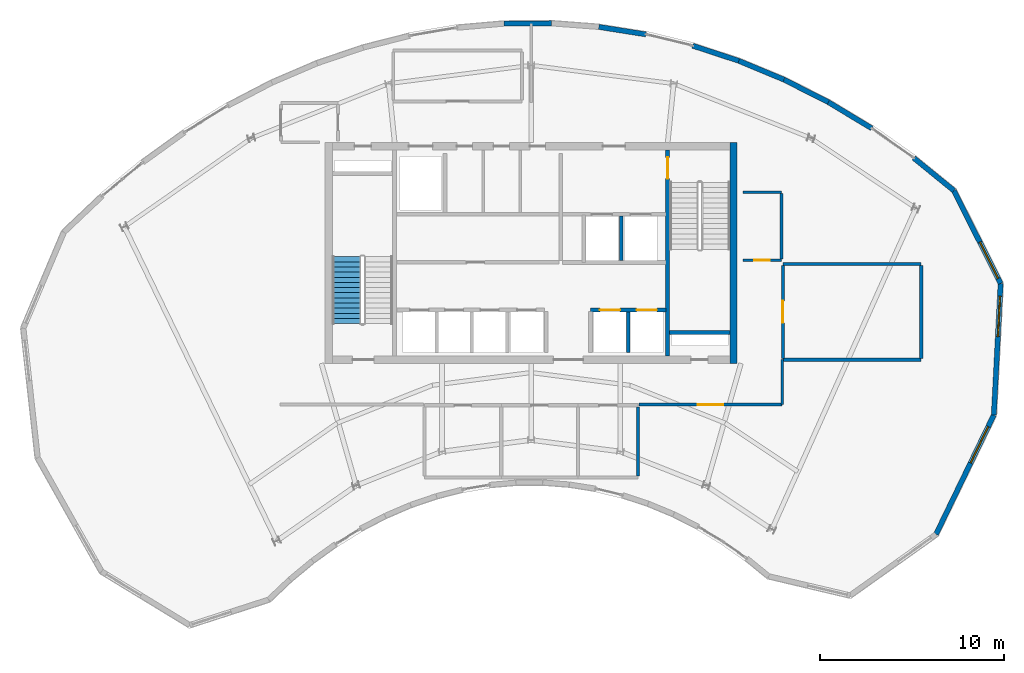
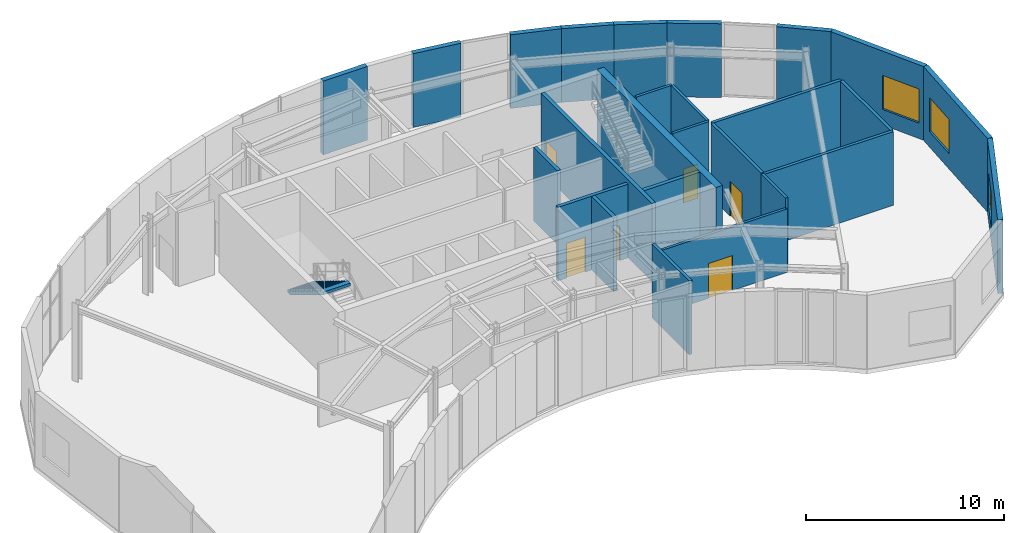
# One storey, part 8 of 10: 26 walls, 6 doors, 3 windows, 1 stair flight, 9 openings, 1 element without a shape of its own.
"""IFC4 building model written with IfcOpenShell, lengths in metres."""

from ifc_helpers import new_model, si_unit, direction, frame, frame_2d, origin, place, context, subcontext, project, spatial, polyline, rectangle, outline, extrude, source, transform, mapped, material, layer, layer_set, type_object, type_shapes, element, fill, aggregate, save


model = new_model("IFC4")

# Units and contexts
model_context = context("Model", 3, precision=1e-05, world=origin(), true_north=direction((0.0, 1.0)))
body_context = subcontext(model_context, "Body", "Model", "MODEL_VIEW")
ifc_project = project(units=[si_unit("LENGTHUNIT", "METRE"), si_unit("AREAUNIT", "SQUARE_METRE"), si_unit("VOLUMEUNIT", "CUBIC_METRE"), si_unit("PLANEANGLEUNIT", "RADIAN"), si_unit("MASSUNIT", "GRAM", prefix="KILO")], contexts=[model_context])

# Site, building, storey
site_placement = place(None, origin())
site = spatial("IfcSite", under=ifc_project, at=site_placement, CompositionType="ELEMENT")
building_placement = place(site_placement, origin())
building = spatial("IfcBuilding", under=site, at=building_placement, Name="Breltana Convention Tower", CompositionType="ELEMENT")
storey_placement = place(building_placement, frame((0.0, 0.0, 303.0)))
storey = spatial("IfcBuildingStorey", under=building, at=storey_placement, Name="L74", CompositionType="ELEMENT", Elevation=303.0)

# Walls
ifc_material_1 = material(Name="Concrete C50/60", Category="concrete")
ifc_layer_1 = layer(ifc_material_1, 0.39990234375, Name="Concrete C50/60")
ifc_layer_set_1 = layer_set([ifc_layer_1], Name="Concrete C50/60")
wall_type_1 = type_object("IfcWallType", Name="SW-CORE-400", PredefinedType="SHEAR", material=ifc_layer_set_1)
shared_shape_1 = source(origin(), body_context, "Body", "SweptSolid", [
    extrude(rectangle(XDim=3.27001953125, YDim=0.219970703125, at=frame_2d((1.635009765625, 0.0))), origin(), (0.0, 0.0, 1.0), 4.800048828125),
])
wall_1_placement = place(storey_placement, frame((55.530029296875, 61.889892578125, 0.0), z_axis=(0.0, 0.0, 1.0), x_axis=(1.0, 0.0, 0.0)))
element("IfcWall", 1, at=wall_1_placement, inside=storey, type_object=wall_type_1, Name="L74 ST-2 Stairwell South Bearing Wall", PredefinedType="SHEAR", context=body_context, shape_type="MappedRepresentation", body=[
    mapped(shared_shape_1, transform((0.0, 0.0, 0.0), scale=1.0)),
])
shared_shape_2 = source(origin(), body_context, "Body", "SweptSolid", [
    extrude(rectangle(XDim=12.0, YDim=0.39990234375, at=frame_2d((6.0, 0.0))), origin(), (0.0, 0.0, 1.0), 4.800048828125),
])
wall_2_placement = place(storey_placement, frame((59.0, 60.199951171875, 0.0), z_axis=(0.0, 0.0, 1.0), x_axis=(0.0, 1.0, 0.0)))
element("IfcWall", 2, at=wall_2_placement, inside=storey, type_object=wall_type_1, Name="L74 East Core Shear Wall", PredefinedType="SHEAR", context=body_context, shape_type="MappedRepresentation", body=[
    mapped(shared_shape_2, transform((0.0, 0.0, 0.0), scale=1.0)),
])

# Wall, opening, door
shared_shape_3 = source(origin(), body_context, "Body", "SweptSolid", [
    extrude(rectangle(XDim=11.199951171875, YDim=0.219970703125, at=frame_2d((5.60009765625, 0.0))), origin(), (0.0, 0.0, 1.0), 4.800048828125),
])
wall_3_placement = place(storey_placement, frame((55.419921875, 60.60009765625, 0.0), z_axis=(0.0, 0.0, 1.0), x_axis=(0.0, 1.0, 0.0)))
wall_3 = element("IfcWall", 3, at=wall_3_placement, inside=storey, type_object=wall_type_1, Name="L74 Core East Stair Spine Wall", PredefinedType="SHEAR", context=body_context, shape_type="MappedRepresentation", body=[
    mapped(shared_shape_3, transform((0.0, 0.0, 0.0), scale=1.0)),
])
opening_1_placement = place(wall_3_placement, frame((9.64501953125, 0.0, 0.0)))
opening_1 = element("IfcOpeningElement", 4, at=opening_1_placement, cuts=wall_3, Name="Opening D-11", PredefinedType="OPENING", context=body_context, shape_type="SweptSolid", body=[
    extrude(rectangle(XDim=1.14990234375, YDim=2.14990234375, at=frame_2d((0.574951171875, 1.074951171875))), frame((0.0, 0.1201171875, 0.0), z_axis=(0.0, -1.0, 0.0), x_axis=(1.0, 0.0, 0.0)), (0.0, 0.0, 1.0), 0.239990234375),
])
ifc_material_2 = material(Name="Steel Stair Exit Door", Category="steel")
door_type_1 = type_object("IfcDoorType", Name="DR-FD120-1150", OperationType="NOTDEFINED", PredefinedType="DOOR", material=ifc_material_2)
shared_shape_4 = source(origin(), body_context, "Body", "SweptSolid", [
    extrude(rectangle(XDim=1.14990234375, YDim=2.14990234375, at=frame_2d((0.574951171875, 1.074951171875))), frame((0.0, 0.02490234375, 0.0), z_axis=(0.0, -1.0, 0.0), x_axis=(1.0, 0.0, 0.0)), (0.0, 0.0, 1.0), 0.050048828125),
])
type_shapes(door_type_1, [shared_shape_4])
door_1_placement = place(opening_1_placement, origin())
door_1 = element("IfcDoor", 5, at=door_1_placement, inside=storey, type_object=door_type_1, Name="L74 interior door D-L74-ST2", OperationType="SINGLE_SWING_LEFT", OverallHeight=2.14990234375, OverallWidth=1.14990234375, PredefinedType="DOOR", context=body_context, shape_type="MappedRepresentation", body=[
    mapped(shared_shape_4, transform((0.0, 0.0, 0.0), scale=1.0)),
])
fill(opening_1, door_1)

# Wall, opening, window
ifc_material_3 = material(Name="Limestone Buff Insulated Wall", Category="masonry")
ifc_layer_2 = layer(ifc_material_3, 0.280029296875, Name="Limestone Buff Insulated Wall")
ifc_layer_set_2 = layer_set([ifc_layer_2], Name="Limestone Buff Insulated Wall")
wall_type_2 = type_object("IfcWallType", Name="WL-EXT-NOSE-280", PredefinedType="SOLIDWALL", material=ifc_layer_set_2)
shared_shape_5 = source(origin(), body_context, "Body", "SweptSolid", [
    extrude(rectangle(XDim=5.6533203125, YDim=0.280029296875, at=frame_2d((2.82666015625, 0.0))), origin(), (0.0, 0.0, 1.0), 4.5400390625),
])
wall_4_placement = place(storey_placement, frame((70.976318359375, 69.5908203125, 0.0), z_axis=(0.0, 0.0, 1.0), x_axis=(0.449302555419, -0.893379658205, 0.0)))
wall_4 = element("IfcWall", 6, at=wall_4_placement, inside=storey, type_object=wall_type_2, Name="L74 curved limestone nose wall E1", PredefinedType="SOLIDWALL", context=body_context, shape_type="MappedRepresentation", body=[
    mapped(shared_shape_5, transform((0.0, 0.0, 0.0), scale=1.0)),
])
opening_2_placement = place(wall_4_placement, frame((3.139892578125, 0.0, 0.949951171875)))
opening_2 = element("IfcOpeningElement", 7, at=opening_2_placement, cuts=wall_4, Name="Opening W-03", PredefinedType="OPENING", context=body_context, shape_type="SweptSolid", body=[
    extrude(rectangle(XDim=2.199951171875, YDim=2.10009765625, at=frame_2d((1.10009765625, 1.050048828125))), frame((0.0, 0.14990234375, 0.0), z_axis=(0.0, -1.0, 0.0), x_axis=(1.0, 0.0, 0.0)), (0.0, 0.0, 1.0), 0.300048828125),
])
ifc_material_4 = material(Name="Glass Low-E Insulated Window", Category="glass")
window_type = type_object("IfcWindowType", Name="WN-NOSE-2200X2100", PartitioningType="TRIPLE_PANEL_VERTICAL", PredefinedType="WINDOW", material=ifc_material_4)
shared_shape_6 = source(origin(), body_context, "Body", "SweptSolid", [
    extrude(rectangle(XDim=2.199951171875, YDim=2.10009765625, at=frame_2d((1.10009765625, 1.050048828125))), frame((0.0, 0.030029296875, 0.0), z_axis=(0.0, -1.0, 0.0), x_axis=(1.0, 0.0, 0.0)), (0.0, 0.0, 1.0), 0.06005859375),
])
type_shapes(window_type, [shared_shape_6])
window_1_placement = place(opening_2_placement, origin())
window_1 = element("IfcWindow", 8, at=window_1_placement, inside=storey, type_object=window_type, Name="L74 nose window E1", OverallHeight=2.10009765625, OverallWidth=2.199951171875, PartitioningType="TRIPLE_PANEL_VERTICAL", PredefinedType="WINDOW", context=body_context, shape_type="MappedRepresentation", body=[
    mapped(shared_shape_6, transform((0.0, 0.0, 0.0), scale=1.0)),
])
fill(opening_2, window_1)

shared_shape_7 = source(origin(), body_context, "Body", "SweptSolid", [
    extrude(rectangle(XDim=7.151123046875, YDim=0.280029296875, at=frame_2d((3.57568359375, 0.0))), origin(), (0.0, 0.0, 1.0), 4.5400390625),
])
wall_5_placement = place(storey_placement, frame((73.516357421875, 64.540283203125, 0.0), z_axis=(0.0, 0.0, 1.0), x_axis=(-0.051449614265, -0.998675591567, 0.0)))
wall_5 = element("IfcWall", 9, at=wall_5_placement, inside=storey, type_object=wall_type_2, Name="L74 curved limestone nose wall E2", PredefinedType="SOLIDWALL", context=body_context, shape_type="MappedRepresentation", body=[
    mapped(shared_shape_7, transform((0.0, 0.0, 0.0), scale=1.0)),
])
opening_3_placement = place(wall_5_placement, frame((0.687744140625, 0.0, 0.949951171875)))
opening_3 = element("IfcOpeningElement", 10, at=opening_3_placement, cuts=wall_5, Name="Opening W-03", PredefinedType="OPENING", context=body_context, shape_type="SweptSolid", body=[
    extrude(rectangle(XDim=2.199951171875, YDim=2.10009765625, at=frame_2d((1.10009765625, 1.050048828125))), frame((0.0, 0.14990234375, 0.0), z_axis=(0.0, -1.0, 0.0), x_axis=(1.0, 0.0, 0.0)), (0.0, 0.0, 1.0), 0.300048828125),
])
window_2_placement = place(opening_3_placement, origin())
window_2 = element("IfcWindow", 11, at=window_2_placement, inside=storey, type_object=window_type, Name="L74 nose window E2", OverallHeight=2.10009765625, OverallWidth=2.199951171875, PartitioningType="TRIPLE_PANEL_VERTICAL", PredefinedType="WINDOW", context=body_context, shape_type="MappedRepresentation", body=[
    mapped(shared_shape_6, transform((0.0, 0.0, 0.0), scale=1.0)),
])
fill(opening_3, window_2)

shared_shape_8 = source(origin(), body_context, "Body", "SweptSolid", [
    extrude(rectangle(XDim=7.21142578125, YDim=0.280029296875, at=frame_2d((3.605712890625, 0.0))), origin(), (0.0, 0.0, 1.0), 4.5400390625),
])
wall_6_placement = place(storey_placement, frame((73.1484375, 57.398681640625, 0.0), z_axis=(0.0, 0.0, 1.0), x_axis=(-0.436088263006, -0.899903898685, 0.0)))
wall_6 = element("IfcWall", 12, at=wall_6_placement, inside=storey, type_object=wall_type_2, Name="L74 curved limestone nose wall E3", PredefinedType="SOLIDWALL", context=body_context, shape_type="MappedRepresentation", body=[
    mapped(shared_shape_8, transform((0.0, 0.0, 0.0), scale=1.0)),
])
opening_4_placement = place(wall_6_placement, frame((0.702880859375, 0.0, 0.949951171875)))
opening_4 = element("IfcOpeningElement", 13, at=opening_4_placement, cuts=wall_6, Name="Opening W-03", PredefinedType="OPENING", context=body_context, shape_type="SweptSolid", body=[
    extrude(rectangle(XDim=2.199951171875, YDim=2.10009765625, at=frame_2d((1.10009765625, 1.050048828125))), frame((0.0, 0.14990234375, 0.0), z_axis=(0.0, -1.0, 0.0), x_axis=(1.0, 0.0, 0.0)), (0.0, 0.0, 1.0), 0.300048828125),
])
window_3_placement = place(opening_4_placement, origin())
window_3 = element("IfcWindow", 14, at=window_3_placement, inside=storey, type_object=window_type, Name="L74 nose window E3", OverallHeight=2.10009765625, OverallWidth=2.199951171875, PartitioningType="TRIPLE_PANEL_VERTICAL", PredefinedType="WINDOW", context=body_context, shape_type="MappedRepresentation", body=[
    mapped(shared_shape_6, transform((0.0, 0.0, 0.0), scale=1.0)),
])
fill(opening_4, window_3)

# Walls
shared_shape_9 = source(origin(), body_context, "Body", "SweptSolid", [
    extrude(rectangle(XDim=2.578125, YDim=0.280029296875, at=frame_2d((1.2890625, 0.0))), origin(), (0.0, 0.0, 1.0), 4.5400390625),
])
wall_7_placement = place(storey_placement, frame((46.52685546875, 78.668212890625, 0.0), z_axis=(0.0, 0.0, 1.0), x_axis=(0.999982204439, 0.005965802924, 0.0)))
element("IfcWall", 15, at=wall_7_placement, inside=storey, type_object=wall_type_2, Name="L74 curved limestone nose wall E26", PredefinedType="SOLIDWALL", context=body_context, shape_type="MappedRepresentation", body=[
    mapped(shared_shape_9, transform((0.0, 0.0, 0.0), scale=1.0)),
])
shared_shape_10 = source(origin(), body_context, "Body", "SweptSolid", [
    extrude(rectangle(XDim=2.592529296875, YDim=0.280029296875, at=frame_2d((1.29638671875, 0.0))), origin(), (0.0, 0.0, 1.0), 4.5400390625),
])
wall_8_placement = place(storey_placement, frame((51.6787109375, 78.487548828125, 0.0), z_axis=(0.0, 0.0, 1.0), x_axis=(0.987661204406, -0.156605700126, 0.0)))
element("IfcWall", 16, at=wall_8_placement, inside=storey, type_object=wall_type_2, Name="L74 curved limestone nose wall E28", PredefinedType="SOLIDWALL", context=body_context, shape_type="MappedRepresentation", body=[
    mapped(shared_shape_10, transform((0.0, 0.0, 0.0), scale=1.0)),
])
shared_shape_11 = source(origin(), body_context, "Body", "SweptSolid", [
    extrude(rectangle(XDim=2.63623046875, YDim=0.280029296875, at=frame_2d((1.318115234375, 0.0))), origin(), (0.0, 0.0, 1.0), 4.5400390625),
])
wall_9_placement = place(storey_placement, frame((56.776611328125, 77.466796875, 0.0), z_axis=(0.0, 0.0, 1.0), x_axis=(0.950200321617, -0.311639774097, 0.0)))
element("IfcWall", 17, at=wall_9_placement, inside=storey, type_object=wall_type_2, Name="L74 curved limestone nose wall E29", PredefinedType="SOLIDWALL", context=body_context, shape_type="MappedRepresentation", body=[
    mapped(shared_shape_11, transform((0.0, 0.0, 0.0), scale=1.0)),
])
shared_shape_12 = source(origin(), body_context, "Body", "SweptSolid", [
    extrude(rectangle(XDim=2.668212890625, YDim=0.280029296875, at=frame_2d((1.333984375, 0.0))), origin(), (0.0, 0.0, 1.0), 4.5400390625),
])
wall_10_placement = place(storey_placement, frame((59.281494140625, 76.645263671875, 0.0), z_axis=(0.0, 0.0, 1.0), x_axis=(0.923290633029, -0.384102078828, 0.0)))
element("IfcWall", 18, at=wall_10_placement, inside=storey, type_object=wall_type_2, Name="L74 curved limestone nose wall E30", PredefinedType="SOLIDWALL", context=body_context, shape_type="MappedRepresentation", body=[
    mapped(shared_shape_12, transform((0.0, 0.0, 0.0), scale=1.0)),
])
shared_shape_13 = source(origin(), body_context, "Body", "SweptSolid", [
    extrude(rectangle(XDim=2.70556640625, YDim=0.280029296875, at=frame_2d((1.352783203125, 0.0))), origin(), (0.0, 0.0, 1.0), 4.5400390625),
])
wall_11_placement = place(storey_placement, frame((61.7451171875, 75.620361328125, 0.0), z_axis=(0.0, 0.0, 1.0), x_axis=(0.891648836287, -0.452727680564, 0.0)))
element("IfcWall", 19, at=wall_11_placement, inside=storey, type_object=wall_type_2, Name="L74 curved limestone nose wall E31", PredefinedType="SOLIDWALL", context=body_context, shape_type="MappedRepresentation", body=[
    mapped(shared_shape_13, transform((0.0, 0.0, 0.0), scale=1.0)),
])
shared_shape_14 = source(origin(), body_context, "Body", "SweptSolid", [
    extrude(rectangle(XDim=2.748291015625, YDim=0.280029296875, at=frame_2d((1.3740234375, 0.0))), origin(), (0.0, 0.0, 1.0), 4.5400390625),
])
wall_12_placement = place(storey_placement, frame((64.157470703125, 74.3955078125, 0.0), z_axis=(0.0, 0.0, 1.0), x_axis=(0.856149718453, -0.516727838996, 0.0)))
element("IfcWall", 20, at=wall_12_placement, inside=storey, type_object=wall_type_2, Name="L74 curved limestone nose wall E32", PredefinedType="SOLIDWALL", context=body_context, shape_type="MappedRepresentation", body=[
    mapped(shared_shape_14, transform((0.0, 0.0, 0.0), scale=1.0)),
])
shared_shape_15 = source(origin(), body_context, "Body", "SweptSolid", [
    extrude(rectangle(XDim=2.811767578125, YDim=0.280029296875, at=frame_2d((1.40576171875, 0.0))), origin(), (0.0, 0.0, 1.0), 4.5400390625),
])
wall_13_placement = place(storey_placement, frame((68.794677734375, 71.36474609375, 0.0), z_axis=(0.0, 0.0, 1.0), x_axis=(0.775880230716, -0.630880232361, 0.0)))
element("IfcWall", 21, at=wall_13_placement, inside=storey, type_object=wall_type_2, Name="L74 curved limestone nose wall E33", PredefinedType="SOLIDWALL", context=body_context, shape_type="MappedRepresentation", body=[
    mapped(shared_shape_15, transform((0.0, 0.0, 0.0), scale=1.0)),
])
ifc_material_5 = material(Name="Autoclaved Aerated Concrete Block", Category="concrete")
ifc_layer_3 = layer(ifc_material_5, 0.199951171875, Name="Autoclaved Aerated Concrete Block")
ifc_layer_set_3 = layer_set([ifc_layer_3], Name="Autoclaved Aerated Concrete Block")
wall_type_3 = type_object("IfcWallType", Name="WL-SHAFT-200", PredefinedType="SOLIDWALL", material=ifc_layer_set_3)
shared_shape_16 = source(origin(), body_context, "Body", "SweptSolid", [
    extrude(rectangle(XDim=2.39990234375, YDim=0.199951171875, at=frame_2d((1.199951171875, 0.0))), origin(), (0.0, 0.0, 1.0), 4.5400390625),
])
wall_14_placement = place(storey_placement, frame((52.89990234375, 65.800048828125, 0.0), z_axis=(0.0, 0.0, 1.0), x_axis=(0.0, 1.0, 0.0)))
element("IfcWall", 22, at=wall_14_placement, inside=storey, type_object=wall_type_3, Name="L74 interior partition W-L74-FL-DIV", PredefinedType="SOLIDWALL", context=body_context, shape_type="MappedRepresentation", body=[
    mapped(shared_shape_16, transform((0.0, 0.0, 0.0), scale=1.0)),
])

# Wall, openings, doors
shared_shape_17 = source(origin(), body_context, "Body", "SweptSolid", [
    extrude(rectangle(XDim=4.10009765625, YDim=0.199951171875, at=frame_2d((2.050048828125, 0.0))), origin(), (0.0, 0.0, 1.0), 4.5400390625),
])
wall_15_placement = place(storey_placement, frame((51.219970703125, 63.10009765625, 0.0), z_axis=(0.0, 0.0, 1.0), x_axis=(1.0, 0.0, 0.0)))
wall_15 = element("IfcWall", 23, at=wall_15_placement, inside=storey, type_object=wall_type_3, Name="L74 interior partition W-L74-SH-X-FRONT", PredefinedType="SOLIDWALL", context=body_context, shape_type="MappedRepresentation", body=[
    mapped(shared_shape_17, transform((0.0, 0.0, 0.0), scale=1.0)),
])
opening_5_placement = place(wall_15_placement, frame((0.510009765625, 0.0, 0.0)))
opening_5 = element("IfcOpeningElement", 24, at=opening_5_placement, cuts=wall_15, Name="Opening LD-02", PredefinedType="OPENING", context=body_context, shape_type="SweptSolid", body=[
    extrude(rectangle(XDim=1.10009765625, YDim=2.14990234375, at=frame_2d((0.550048828125, 1.074951171875))), frame((0.0, 0.10986328125, 0.0), z_axis=(0.0, -1.0, 0.0), x_axis=(1.0, 0.0, 0.0)), (0.0, 0.0, 1.0), 0.219970703125),
])
opening_6_placement = place(wall_15_placement, frame((2.510009765625, 0.0, 0.0)))
opening_6 = element("IfcOpeningElement", 25, at=opening_6_placement, cuts=wall_15, Name="Opening LD-02", PredefinedType="OPENING", context=body_context, shape_type="SweptSolid", body=[
    extrude(rectangle(XDim=1.10009765625, YDim=2.14990234375, at=frame_2d((0.550048828125, 1.074951171875))), frame((0.0, 0.10986328125, 0.0), z_axis=(0.0, -1.0, 0.0), x_axis=(1.0, 0.0, 0.0)), (0.0, 0.0, 1.0), 0.219970703125),
])
ifc_material_6 = material(Name="Stainless Steel Bronze", Category="steel")
door_type_2 = type_object("IfcDoorType", Name="DR-LD-EXP-1100", OperationType="DOUBLE_DOOR_SLIDING", PredefinedType="DOOR", material=ifc_material_6)
shared_shape_18 = source(origin(), body_context, "Body", "SweptSolid", [
    extrude(rectangle(XDim=1.10009765625, YDim=2.14990234375, at=frame_2d((0.550048828125, 1.074951171875))), frame((0.0, 0.02490234375, 0.0), z_axis=(0.0, -1.0, 0.0), x_axis=(1.0, 0.0, 0.0)), (0.0, 0.0, 1.0), 0.050048828125),
])
type_shapes(door_type_2, [shared_shape_18])
door_2_placement = place(opening_5_placement, origin())
door_2 = element("IfcDoor", 26, at=door_2_placement, inside=storey, type_object=door_type_2, Name="L74 Lift Landing Door D-L74-LD-X1", OperationType="DOUBLE_DOOR_SLIDING", OverallHeight=2.14990234375, OverallWidth=1.10009765625, PredefinedType="DOOR", context=body_context, shape_type="MappedRepresentation", body=[
    mapped(shared_shape_18, transform((0.0, 0.0, 0.0), scale=1.0)),
])
fill(opening_5, door_2)
door_3_placement = place(opening_6_placement, origin())
door_3 = element("IfcDoor", 27, at=door_3_placement, inside=storey, type_object=door_type_2, Name="L74 Lift Landing Door D-L74-LD-X2", OperationType="DOUBLE_DOOR_SLIDING", OverallHeight=2.14990234375, OverallWidth=1.10009765625, PredefinedType="DOOR", context=body_context, shape_type="MappedRepresentation", body=[
    mapped(shared_shape_18, transform((0.0, 0.0, 0.0), scale=1.0)),
])
fill(opening_6, door_3)

# Wall
shared_shape_19 = source(origin(), body_context, "Body", "SweptSolid", [
    extrude(rectangle(XDim=2.199951171875, YDim=0.199951171875, at=frame_2d((1.10009765625, 0.0))), origin(), (0.0, 0.0, 1.0), 4.5400390625),
])
wall_16_placement = place(storey_placement, frame((53.280029296875, 60.800048828125, 0.0), z_axis=(0.0, 0.0, 1.0), x_axis=(0.0, 1.0, 0.0)))
element("IfcWall", 28, at=wall_16_placement, inside=storey, type_object=wall_type_3, Name="L74 interior partition W-L74-SH-X-DIV", PredefinedType="SOLIDWALL", context=body_context, shape_type="MappedRepresentation", body=[
    mapped(shared_shape_19, transform((0.0, 0.0, 0.0), scale=1.0)),
])

# Wall, opening, door
ifc_material_7 = material(Name="Gypsum Acoustic Drywall Partition")
ifc_layer_4 = layer(ifc_material_7, 0.14990234375, Name="Gypsum Acoustic Drywall Partition")
ifc_layer_set_4 = layer_set([ifc_layer_4], Name="Gypsum Acoustic Drywall Partition")
wall_type_4 = type_object("IfcWallType", Name="WL-PART-150", PredefinedType="PARTITIONING", material=ifc_layer_set_4)
shared_shape_20 = source(origin(), body_context, "Body", "SweptSolid", [
    extrude(rectangle(XDim=2.10009765625, YDim=0.14990234375, at=frame_2d((1.050048828125, 0.0))), origin(), (0.0, 0.0, 1.0), 4.5400390625),
])
wall_17_placement = place(storey_placement, frame((59.5, 65.800048828125, 0.0), z_axis=(0.0, 0.0, 1.0), x_axis=(1.0, 0.0, 0.0)))
wall_17 = element("IfcWall", 29, at=wall_17_placement, inside=storey, type_object=wall_type_4, Name="L74 interior partition W-L74-CRSE-S", PredefinedType="PARTITIONING", context=body_context, shape_type="MappedRepresentation", body=[
    mapped(shared_shape_20, transform((0.0, 0.0, 0.0), scale=1.0)),
])
opening_7_placement = place(wall_17_placement, frame((0.625, 0.0, 0.0)))
opening_7 = element("IfcOpeningElement", 30, at=opening_7_placement, cuts=wall_17, Name="Opening D-20", PredefinedType="OPENING", context=body_context, shape_type="SweptSolid", body=[
    extrude(rectangle(XDim=0.85009765625, YDim=2.10009765625, at=frame_2d((0.425048828125, 1.050048828125))), frame((0.0, 0.0849609375, 0.0), z_axis=(0.0, -1.0, 0.0), x_axis=(1.0, 0.0, 0.0)), (0.0, 0.0, 1.0), 0.169921875),
])
ifc_material_8 = material(Name="Steel Closet Fire Door", Category="steel")
door_type_3 = type_object("IfcDoorType", Name="DR-FD60-850", OperationType="NOTDEFINED", PredefinedType="DOOR", material=ifc_material_8)
shared_shape_21 = source(origin(), body_context, "Body", "SweptSolid", [
    extrude(rectangle(XDim=0.85009765625, YDim=2.10009765625, at=frame_2d((0.425048828125, 1.050048828125))), frame((0.0, 0.02490234375, 0.0), z_axis=(0.0, -1.0, 0.0), x_axis=(1.0, 0.0, 0.0)), (0.0, 0.0, 1.0), 0.050048828125),
])
type_shapes(door_type_3, [shared_shape_21])
door_4_placement = place(opening_7_placement, origin())
door_4 = element("IfcDoor", 31, at=door_4_placement, inside=storey, type_object=door_type_3, Name="L74 interior door D-L74-CRSE", OperationType="SINGLE_SWING_LEFT", OverallHeight=2.10009765625, OverallWidth=0.85009765625, PredefinedType="DOOR", context=body_context, shape_type="MappedRepresentation", body=[
    mapped(shared_shape_21, transform((0.0, 0.0, 0.0), scale=1.0)),
])
fill(opening_7, door_4)

# Walls
wall_18_placement = place(storey_placement, frame((59.5, 69.5, 0.0), z_axis=(0.0, 0.0, 1.0), x_axis=(1.0, 0.0, 0.0)))
element("IfcWall", 32, at=wall_18_placement, inside=storey, type_object=wall_type_4, Name="L74 interior partition W-L74-CRSE-N", PredefinedType="PARTITIONING", context=body_context, shape_type="MappedRepresentation", body=[
    mapped(shared_shape_20, transform((0.0, 0.0, 0.0), scale=1.0)),
])
shared_shape_22 = source(origin(), body_context, "Body", "SweptSolid", [
    extrude(rectangle(XDim=3.565185546875, YDim=0.14990234375, at=frame_2d((1.78271484375, 0.0))), origin(), (0.0, 0.0, 1.0), 4.5400390625),
])
wall_19_placement = place(storey_placement, frame((61.60009765625, 65.867431640625, 0.0), z_axis=(0.0, 0.0, 1.0), x_axis=(0.0, 1.0, 0.0)))
element("IfcWall", 33, at=wall_19_placement, inside=storey, type_object=wall_type_4, Name="L74 interior partition W-L74-CRSE-E", PredefinedType="PARTITIONING", context=body_context, shape_type="MappedRepresentation", body=[
    mapped(shared_shape_22, transform((0.0, 0.0, 0.0), scale=1.0)),
])
ifc_material_9 = material(Name="Cement Board Wet-Area Partition")
ifc_layer_5 = layer(ifc_material_9, 0.175048828125, Name="Cement Board Wet-Area Partition")
ifc_layer_set_5 = layer_set([ifc_layer_5], Name="Cement Board Wet-Area Partition")
wall_type_5 = type_object("IfcWallType", Name="WL-WET-175", PredefinedType="PARTITIONING", material=ifc_layer_set_5)
shared_shape_23 = source(origin(), body_context, "Body", "SweptSolid", [
    extrude(rectangle(XDim=3.7626953125, YDim=0.175048828125, at=frame_2d((1.88134765625, 0.0))), origin(), (0.0, 0.0, 1.0), 4.5400390625),
])
wall_20_placement = place(storey_placement, frame((53.800048828125, 54.07861328125, 0.0), z_axis=(0.0, 0.0, 1.0), x_axis=(0.0, 1.0, 0.0)))
element("IfcWall", 34, at=wall_20_placement, inside=storey, type_object=wall_type_5, Name="L74 interior partition W-L74-WCA-E", PredefinedType="PARTITIONING", context=body_context, shape_type="MappedRepresentation", body=[
    mapped(shared_shape_23, transform((0.0, 0.0, 0.0), scale=1.0)),
])
shared_shape_24 = source(origin(), body_context, "Body", "SweptSolid", [
    extrude(rectangle(XDim=7.52001953125, YDim=0.175048828125, at=frame_2d((3.760009765625, 0.0))), origin(), (0.0, 0.0, 1.0), 4.5400390625),
])
wall_21_placement = place(storey_placement, frame((61.679931640625, 60.39990234375, 0.0), z_axis=(0.0, 0.0, 1.0), x_axis=(1.0, 0.0, 0.0)))
element("IfcWall", 35, at=wall_21_placement, inside=storey, type_object=wall_type_5, Name="L74 interior partition W-L74-SKIT-S", PredefinedType="PARTITIONING", context=body_context, shape_type="MappedRepresentation", body=[
    mapped(shared_shape_24, transform((0.0, 0.0, 0.0), scale=1.0)),
])
ifc_material_10 = material(Name="Moisture-Resistant Gypsum Chase Wall")
ifc_layer_6 = layer(ifc_material_10, 0.179931640625, Name="Moisture-Resistant Gypsum Chase Wall")
ifc_layer_set_6 = layer_set([ifc_layer_6], Name="Moisture-Resistant Gypsum Chase Wall")
wall_type_6 = type_object("IfcWallType", Name="WL-PLUMB-180", PredefinedType="PLUMBINGWALL", material=ifc_layer_set_6)
shared_shape_25 = source(origin(), body_context, "Body", "SweptSolid", [
    extrude(rectangle(XDim=7.52001953125, YDim=0.179931640625, at=frame_2d((3.760009765625, 0.0))), origin(), (0.0, 0.0, 1.0), 4.5400390625),
])
wall_22_placement = place(storey_placement, frame((61.679931640625, 65.60009765625, 0.0), z_axis=(0.0, 0.0, 1.0), x_axis=(1.0, 0.0, 0.0)))
element("IfcWall", 36, at=wall_22_placement, inside=storey, type_object=wall_type_6, Name="L74 interior partition W-L74-SKIT-N", PredefinedType="PLUMBINGWALL", context=body_context, shape_type="MappedRepresentation", body=[
    mapped(shared_shape_25, transform((0.0, 0.0, 0.0), scale=1.0)),
])

# Wall, opening, door
shared_shape_26 = source(origin(), body_context, "Body", "SweptSolid", [
    extrude(rectangle(XDim=5.04248046875, YDim=0.175048828125, at=frame_2d((2.521240234375, 0.0))), origin(), (0.0, 0.0, 1.0), 4.5400390625),
])
wall_23_placement = place(storey_placement, frame((61.679931640625, 60.478759765625, 0.0), z_axis=(0.0, 0.0, 1.0), x_axis=(0.0, 1.0, 0.0)))
wall_23 = element("IfcWall", 37, at=wall_23_placement, inside=storey, type_object=wall_type_5, Name="L74 interior partition W-L74-SKIT-W", PredefinedType="PARTITIONING", context=body_context, shape_type="MappedRepresentation", body=[
    mapped(shared_shape_26, transform((0.0, 0.0, 0.0), scale=1.0)),
])
opening_8_placement = place(wall_23_placement, frame((1.921142578125, 0.0, 0.0)))
opening_8 = element("IfcOpeningElement", 38, at=opening_8_placement, cuts=wall_23, Name="Opening D-10", PredefinedType="OPENING", context=body_context, shape_type="SweptSolid", body=[
    extrude(rectangle(XDim=1.199951171875, YDim=2.14990234375, at=frame_2d((0.60009765625, 1.074951171875))), frame((0.0, 0.09765625, 0.0), z_axis=(0.0, -1.0, 0.0), x_axis=(1.0, 0.0, 0.0)), (0.0, 0.0, 1.0), 0.195068359375),
])
ifc_material_11 = material(Name="Timber Oak Veneer Fire Door", Category="wood")
door_type_4 = type_object("IfcDoorType", Name="DR-INT-1200", OperationType="NOTDEFINED", PredefinedType="DOOR", material=ifc_material_11)
shared_shape_27 = source(origin(), body_context, "Body", "SweptSolid", [
    extrude(rectangle(XDim=1.199951171875, YDim=2.14990234375, at=frame_2d((0.60009765625, 1.074951171875))), frame((0.0, 0.02490234375, 0.0), z_axis=(0.0, -1.0, 0.0), x_axis=(1.0, 0.0, 0.0)), (0.0, 0.0, 1.0), 0.050048828125),
])
type_shapes(door_type_4, [shared_shape_27])
door_5_placement = place(opening_8_placement, origin())
door_5 = element("IfcDoor", 39, at=door_5_placement, inside=storey, type_object=door_type_4, Name="L74 interior door D-L74-SKIT", OperationType="SINGLE_SWING_LEFT", OverallHeight=2.14990234375, OverallWidth=1.199951171875, PredefinedType="DOOR", context=body_context, shape_type="MappedRepresentation", body=[
    mapped(shared_shape_27, transform((0.0, 0.0, 0.0), scale=1.0)),
])
fill(opening_8, door_5)

# Wall
wall_24_placement = place(storey_placement, frame((69.199951171875, 60.478759765625, 0.0), z_axis=(0.0, 0.0, 1.0), x_axis=(0.0, 1.0, 0.0)))
element("IfcWall", 40, at=wall_24_placement, inside=storey, type_object=wall_type_5, Name="L74 interior partition W-L74-SKIT-E", PredefinedType="PARTITIONING", context=body_context, shape_type="MappedRepresentation", body=[
    mapped(shared_shape_26, transform((0.0, 0.0, 0.0), scale=1.0)),
])

# Wall, opening, door
shared_shape_28 = source(origin(), body_context, "Body", "SweptSolid", [
    extrude(rectangle(XDim=7.789794921875, YDim=0.14990234375, at=frame_2d((3.89501953125, 0.0))), origin(), (0.0, 0.0, 1.0), 3.912109375),
])
wall_25_placement = place(storey_placement, frame((53.85009765625, 57.9599609375, 0.0), z_axis=(0.0, 0.0, 1.0), x_axis=(1.0, 0.0, 0.0)))
wall_25 = element("IfcWall", 41, at=wall_25_placement, inside=storey, type_object=wall_type_4, Name="L74 interior partition W-L74-L74-E", PredefinedType="PARTITIONING", context=body_context, shape_type="MappedRepresentation", body=[
    mapped(shared_shape_28, transform((0.0, 0.0, 0.0), scale=1.0)),
])
opening_9_placement = place(wall_25_placement, frame((3.195068359375, 0.0, 0.0)))
opening_9 = element("IfcOpeningElement", 42, at=opening_9_placement, cuts=wall_25, Name="Opening D-05", PredefinedType="OPENING", context=body_context, shape_type="SweptSolid", body=[
    extrude(rectangle(XDim=1.39990234375, YDim=2.14990234375, at=frame_2d((0.699951171875, 1.074951171875))), frame((0.0, 0.0849609375, 0.0), z_axis=(0.0, -1.0, 0.0), x_axis=(1.0, 0.0, 0.0)), (0.0, 0.0, 1.0), 0.169921875),
])
ifc_material_12 = material(Name="Timber Veneer Glazed Double Door", Category="wood")
door_type_5 = type_object("IfcDoorType", Name="DR-DBL-1400", OperationType="DOUBLE_DOOR_SINGLE_SWING", PredefinedType="DOOR", material=ifc_material_12)
shared_shape_29 = source(origin(), body_context, "Body", "SweptSolid", [
    extrude(rectangle(XDim=1.39990234375, YDim=2.14990234375, at=frame_2d((0.699951171875, 1.074951171875))), frame((0.0, 0.02490234375, 0.0), z_axis=(0.0, -1.0, 0.0), x_axis=(1.0, 0.0, 0.0)), (0.0, 0.0, 1.0), 0.050048828125),
])
type_shapes(door_type_5, [shared_shape_29])
door_6_placement = place(opening_9_placement, origin())
door_6 = element("IfcDoor", 43, at=door_6_placement, inside=storey, type_object=door_type_5, Name="L74 interior door D-L74-SBAR", OperationType="SINGLE_SWING_RIGHT", OverallHeight=2.14990234375, OverallWidth=1.39990234375, PredefinedType="DOOR", context=body_context, shape_type="MappedRepresentation", body=[
    mapped(shared_shape_29, transform((0.0, 0.0, 0.0), scale=1.0)),
])
fill(opening_9, door_6)

# Wall
shared_shape_30 = source(origin(), body_context, "Body", "SweptSolid", [
    extrude(rectangle(XDim=2.4599609375, YDim=0.14990234375, at=frame_2d((1.22998046875, 0.0))), origin(), (0.0, 0.0, 1.0), 4.5400390625),
])
wall_26_placement = place(storey_placement, frame((61.639892578125, 57.9599609375, 0.0), z_axis=(0.0, 0.0, 1.0), x_axis=(0.0, 1.0, 0.0)))
element("IfcWall", 44, at=wall_26_placement, inside=storey, type_object=wall_type_4, Name="L74 interior partition W-L74-L74-EC", PredefinedType="PARTITIONING", context=body_context, shape_type="MappedRepresentation", body=[
    mapped(shared_shape_30, transform((0.0, 0.0, 0.0), scale=1.0)),
])

# Stair, stair flight
ifc_material_13 = material(Name="Concrete C40/50", Category="concrete")
stair_type = type_object("IfcStairType", Name="ST-DOG-1560-R171", PredefinedType="HALF_TURN_STAIR", material=ifc_material_13)
stair_placement = place(storey_placement, origin())
stair = element("IfcStair", 45, at=stair_placement, inside=storey, type_object=stair_type, Name="L74 Protected Core Exit Stair ST-1", PredefinedType="HALF_TURN_STAIR")
stair_flight_type = type_object("IfcStairFlightType", Name="STF-DOG-1560-N14-R171", PredefinedType="STRAIGHT", material=ifc_material_13)
stair_flight_placement = place(storey_placement, frame((37.97998046875, 66.0, 2.39990234375), z_axis=(0.0, 0.0, 1.0), x_axis=(0.0, -1.0, 0.0)))
stair_flight = element("IfcStairFlight", 46, at=stair_flight_placement, type_object=stair_flight_type, Name="ST-1 flight 2", NumberOfRisers=14, NumberOfTreads=13, PredefinedType="STRAIGHT", RiserHeight=0.171428571, TreadLength=0.28, context=body_context, shape_type="SweptSolid", body=[
    extrude(outline(polyline([(0.0, 0.0), (0.0, 0.17138671875), (0.280029296875, 0.17138671875), (0.280029296875, 0.3427734375), (0.56005859375, 0.3427734375), (0.56005859375, 0.514404296875), (0.840087890625, 0.514404296875), (0.840087890625, 0.685791015625), (1.1201171875, 0.685791015625), (1.1201171875, 0.857177734375), (1.39990234375, 0.857177734375), (1.39990234375, 1.028564453125), (1.679931640625, 1.028564453125), (1.679931640625, 1.199951171875), (1.9599609375, 1.199951171875), (1.9599609375, 1.371337890625), (2.239990234375, 1.371337890625), (2.239990234375, 1.54296875), (2.52001953125, 1.54296875), (2.52001953125, 1.71435546875), (2.800048828125, 1.71435546875), (2.800048828125, 1.8857421875), (3.080078125, 1.8857421875), (3.080078125, 2.05712890625), (3.360107421875, 2.05712890625), (3.360107421875, 2.228515625), (3.639892578125, 2.228515625), (3.639892578125, 2.39990234375), (3.639892578125, 2.052734375), (0.287109375, 0.0), (0.0, 0.0)])), frame((0.0, 0.780029296875, 0.0), z_axis=(0.0, -1.0, 0.0), x_axis=(1.0, 0.0, 0.0)), (0.0, 0.0, 1.0), 1.56005859375),
])
aggregate(stair, [stair_flight])

save(model, "model.ifc")
